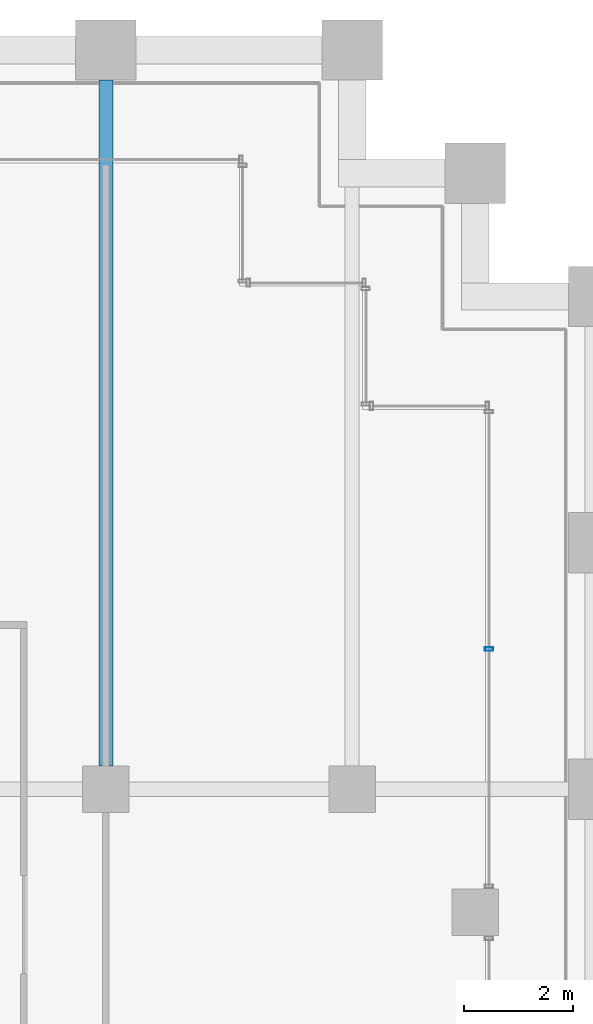
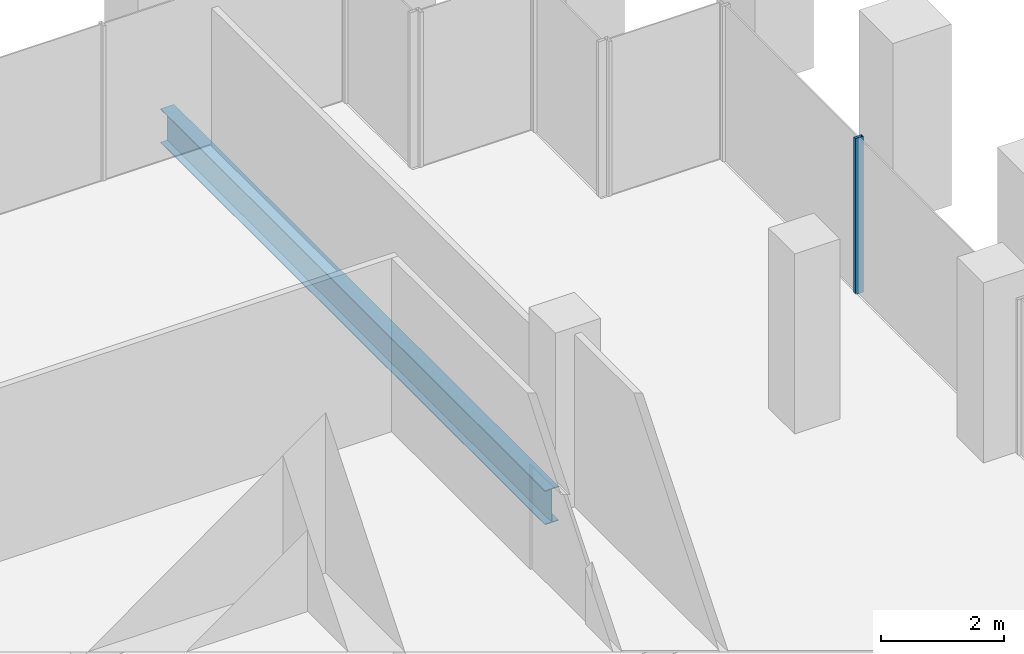
# One storey, part 30 of 54: 1 beam, 1 member, 1 element without a shape of its own.
"""IFC4 building model written with IfcOpenShell, lengths in metres."""

from ifc_helpers import new_model, si_unit, direction, frame, origin, origin_2d, place, context, subcontext, project, spatial, hollow_rectangle, i_section, extrude, material, material_profile, profile_set, type_object, element, aggregate, save


model = new_model("IFC4")

# Units and contexts
model_context = context("Model", 3, precision=1e-05, world=origin(), true_north=direction((0.0, 1.0)))
body_context = subcontext(model_context, "Body", "Model", "MODEL_VIEW")
ifc_project = project(units=[si_unit("LENGTHUNIT", "METRE"), si_unit("AREAUNIT", "SQUARE_METRE"), si_unit("VOLUMEUNIT", "CUBIC_METRE"), si_unit("PLANEANGLEUNIT", "RADIAN"), si_unit("MASSUNIT", "GRAM", prefix="KILO")], contexts=[model_context])

# Site, building, storey
site_placement = place(None, origin())
site = spatial("IfcSite", under=ifc_project, at=site_placement, CompositionType="ELEMENT")
building_placement = place(site_placement, origin())
building = spatial("IfcBuilding", under=site, at=building_placement, Name="Altepetl Exchange Towers", CompositionType="ELEMENT")
storey_placement = place(building_placement, frame((0.0, 0.0, 61.800048828125)))
storey = spatial("IfcBuildingStorey", under=building, at=storey_placement, Name="L14", CompositionType="ELEMENT", Elevation=61.800048828125)

# Beam
ifc_material_1 = material(Name="Steel S355", Category="steel")
ifc_material_profile_1 = material_profile(ifc_material_1, i_section(OverallWidth=0.25390625, OverallDepth=0.68408203125, WebThickness=0.012451171875, FlangeThickness=0.018798828125, at=origin_2d()), Name="W27X94")
ifc_profile_set_1 = profile_set([ifc_material_profile_1], Name="Steel S355")
beam_type = type_object("IfcBeamType", Name="Floor beam W27X94", PredefinedType="BEAM", material=ifc_profile_set_1)
beam_placement = place(storey_placement, frame((63.0, 58.925048828125, -0.491943359375), z_axis=(0.0, 1.0, 0.0), x_axis=(-1.0, 0.0, 0.0)))
element("IfcBeam", 1, at=beam_placement, inside=storey, type_object=beam_type, Name="bm:A:L14:004", PredefinedType="BEAM", context=body_context, shape_type="SweptSolid", body=[
    extrude(i_section(OverallWidth=0.25390625, OverallDepth=0.68408203125, WebThickness=0.012451171875, FlangeThickness=0.018798828125, at=origin_2d()), origin(), (0.0, 0.0, 1.0), 12.52490234375),
])

# Curtain wall, member
ifc_material_2 = material(Name="Aluminium 6063-T6 glazing", Category="aluminium")
curtain_wall_type = type_object("IfcCurtainWallType", Name="Loggia glazing system", PredefinedType="NOTDEFINED", material=ifc_material_2)
curtain_wall_placement = place(storey_placement, origin())
curtain_wall = element("IfcCurtainWall", 2, at=curtain_wall_placement, inside=storey, type_object=curtain_wall_type, Name="CW1 run", PredefinedType="NOTDEFINED")
ifc_material_3 = material(Name="Aluminium 6063-T6", Category="aluminium")
ifc_material_profile_2 = material_profile(ifc_material_3, hollow_rectangle(XDim=0.06005859375, YDim=0.14990234375, WallThickness=0.0029296875, at=origin_2d()), Name="Mullion 60x150 aluminium")
ifc_profile_set_2 = profile_set([ifc_material_profile_2], Name="Aluminium 6063-T6")
member_type = type_object("IfcMemberType", Name="Mullion 60x150 aluminium", PredefinedType="MULLION", material=ifc_profile_set_2)
member_placement = place(storey_placement, frame((70.0, 61.06005859375, 0.0), z_axis=(0.0, 0.0, 1.0), x_axis=(0.0, 1.0, 0.0)))
member = element("IfcMember", 3, at=member_placement, type_object=member_type, Name="MU1 mullion", PredefinedType="MULLION", context=body_context, shape_type="SweptSolid", body=[
    extrude(hollow_rectangle(XDim=0.06005859375, YDim=0.14990234375, WallThickness=0.0029296875, at=origin_2d()), origin(), (0.0, 0.0, 1.0), 3.099853515625),
])
aggregate(curtain_wall, [member])

save(model, "model.ifc")
